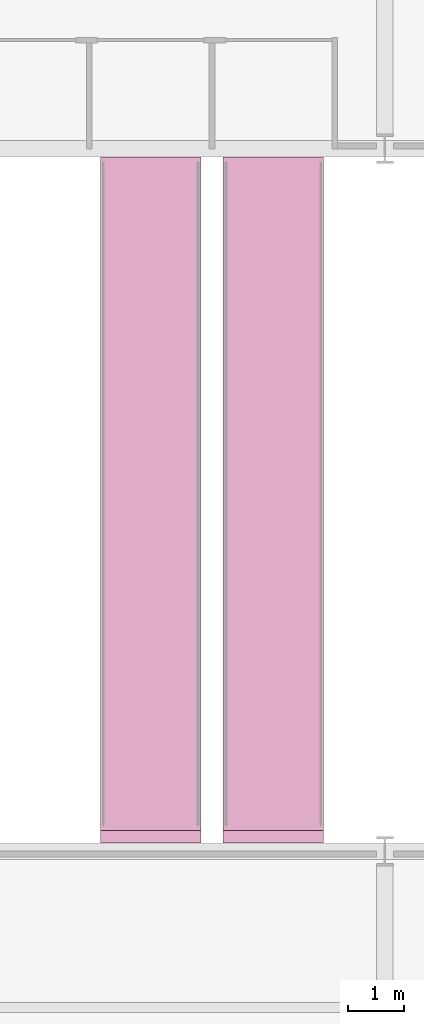
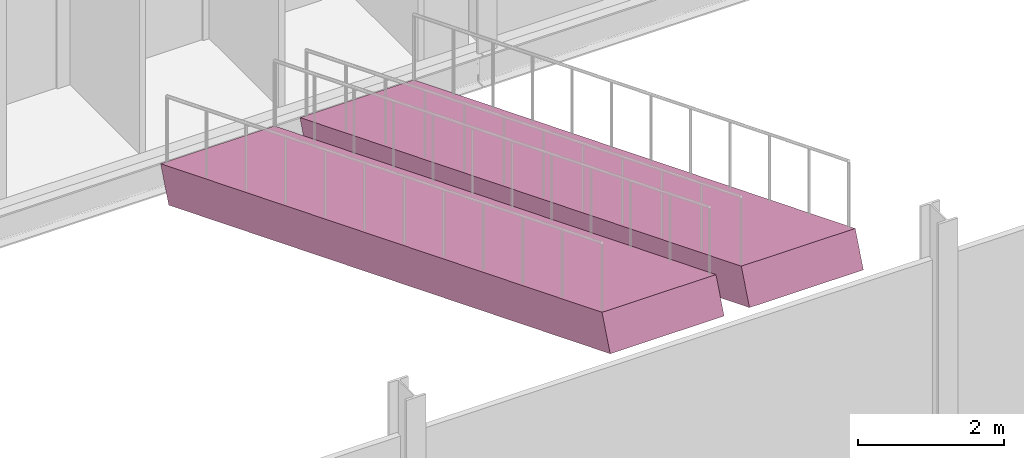
# One storey, part 52 of 52: 2 transport elements.
"""IFC4 building model written with IfcOpenShell, lengths in metres."""

from ifc_helpers import new_model, si_unit, direction, frame, origin, origin_2d, place, context, subcontext, project, spatial, rectangle, extrude, material, material_profile, profile_set, type_object, element, save


model = new_model("IFC4")

# Units and contexts
model_context = context("Model", 3, precision=1e-05, world=origin(), true_north=direction((0.0, 1.0)))
body_context = subcontext(model_context, "Body", "Model", "MODEL_VIEW")
ifc_project = project(units=[si_unit("LENGTHUNIT", "METRE"), si_unit("AREAUNIT", "SQUARE_METRE"), si_unit("VOLUMEUNIT", "CUBIC_METRE"), si_unit("PLANEANGLEUNIT", "RADIAN"), si_unit("MASSUNIT", "GRAM", prefix="KILO")], contexts=[model_context])

# Site, building, storey
site_placement = place(None, origin())
site = spatial("IfcSite", under=ifc_project, at=site_placement, CompositionType="ELEMENT")
building_placement = place(site_placement, origin())
building = spatial("IfcBuilding", under=site, at=building_placement, Name="Galleria Vessillo Department Store", CompositionType="ELEMENT")
storey_placement = place(building_placement, frame((0.0, 0.0, 16.199951171875)))
storey = spatial("IfcBuildingStorey", under=building, at=storey_placement, Name="L03", CompositionType="ELEMENT", Elevation=16.199951171875)

# Transport elements
ifc_material = material(Name="Steel S355 J2", Category="steel")
ifc_material_profile = material_profile(ifc_material, rectangle(XDim=1.800048828125, YDim=0.60009765625, at=origin_2d()), Name="Escalator truss 1800 x 600")
ifc_profile_set = profile_set([ifc_material_profile], Name="Steel S355 J2")
transport_element_type = type_object("IfcTransportElementType", Name="Escalator truss 1400 mm steps", PredefinedType="ESCALATOR", material=ifc_profile_set)
for number, where, z_axis, x_axis, name in (
    (1, (63.0, 37.538330078125, -0.4404296875), (0.0, -0.928200792304, 0.372079681207), (1.0, 0.0, 0.0), "Escalator ES7 L03 to L04"),
    (2, (65.199951171875, 37.538330078125, -0.4404296875), (0.0, -0.928200792304, 0.372079681207), (1.0, 0.0, 0.0), "Escalator ES8 L03 to L04"),
):
    element("IfcTransportElement", number, at=place(storey_placement, frame(where, z_axis=z_axis, x_axis=x_axis)), inside=storey, type_object=transport_element_type, Name=name, PredefinedType="ESCALATOR", context=body_context, shape_type="SweptSolid", body=[
        extrude(rectangle(XDim=1.800048828125, YDim=0.60009765625, at=origin_2d()), origin(), (0.0, 0.0, 1.0), 13.0107421875),
    ])

save(model, "model.ifc")
